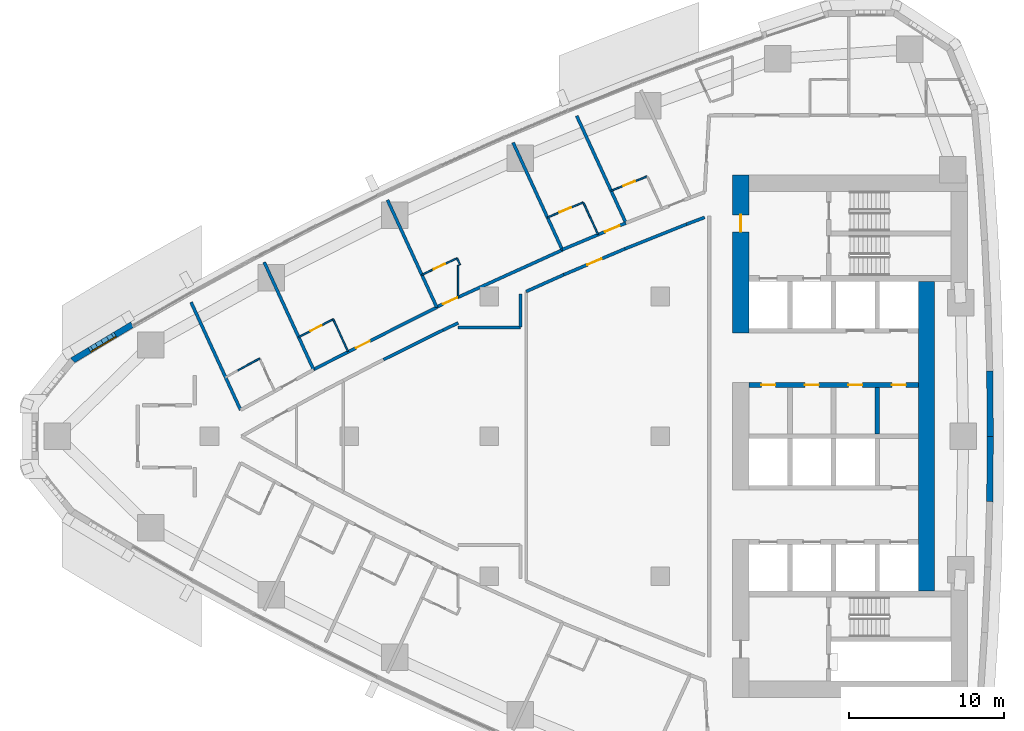
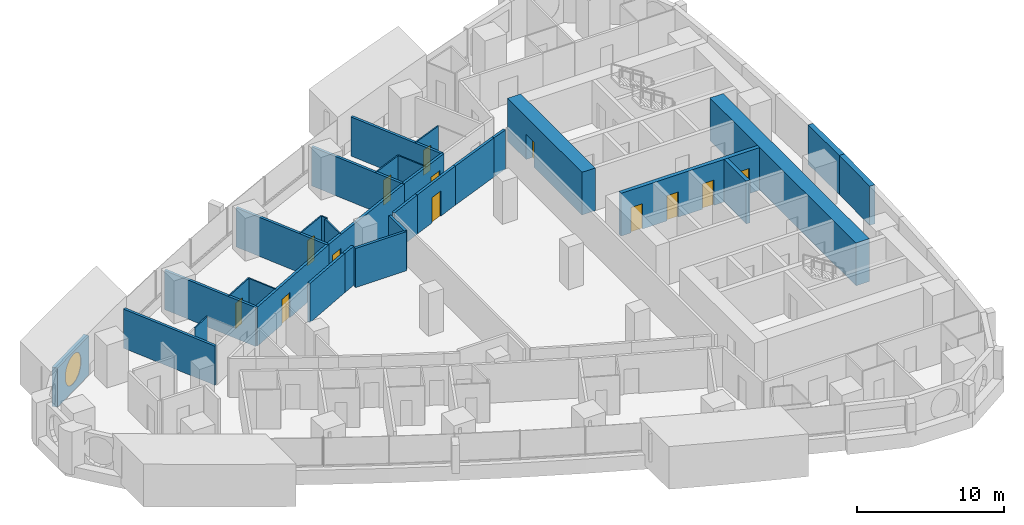
# One storey, part 11 of 17: 32 walls, 13 doors, 1 window, 14 openings.
"""IFC4 building model written with IfcOpenShell, lengths in metres."""

from ifc_helpers import new_model, si_unit, direction, frame, frame_2d, origin, place, context, subcontext, project, spatial, polyline, rectangle, outline, extrude, material, layer, layer_set, type_object, element, fill, save


model = new_model("IFC4")

# Units and contexts
model_context = context("Model", 3, precision=1e-05, world=origin(), true_north=direction((0.0, 1.0)))
body_context = subcontext(model_context, "Body", "Model", "MODEL_VIEW")
ifc_project = project(units=[si_unit("LENGTHUNIT", "METRE"), si_unit("AREAUNIT", "SQUARE_METRE"), si_unit("VOLUMEUNIT", "CUBIC_METRE"), si_unit("PLANEANGLEUNIT", "RADIAN"), si_unit("MASSUNIT", "GRAM", prefix="KILO")], contexts=[model_context])

# Site, building, storey
site_placement = place(None, origin())
site = spatial("IfcSite", under=ifc_project, at=site_placement, CompositionType="ELEMENT")
building_placement = place(site_placement, origin())
building = spatial("IfcBuilding", under=site, at=building_placement, Name="Ostrand Prow Hotel Tower", CompositionType="ELEMENT")
storey_placement = place(building_placement, frame((0.0, 0.0, 99.10009765625)))
storey = spatial("IfcBuildingStorey", under=building, at=storey_placement, Name="L23", CompositionType="ELEMENT", Elevation=99.10009765625)

# Wall, opening, door
ifc_material_1 = material(Name="Concrete C80/95", Category="concrete")
ifc_layer_1 = layer(ifc_material_1, 1.050048828125)
ifc_layer_set_1 = layer_set([ifc_layer_1], Name="Concrete C80/95")
wall_type_1 = type_object("IfcWallType", Name="Core wall 1050 C80/95", PredefinedType="SHEAR", material=ifc_layer_set_1)
wall_1_placement = place(storey_placement, frame((50.175048828125, 6.64990234375, 0.0), z_axis=(0.0, 0.0, 1.0), x_axis=(0.0, 1.0, 0.0)))
wall_1 = element("IfcWall", 1, at=wall_1_placement, inside=storey, type_object=wall_type_1, Name="Core wall CW-W-N", PredefinedType="SHEAR", context=body_context, shape_type="SweptSolid", body=[
    extrude(rectangle(XDim=10.150146484375, YDim=1.050048828125, at=frame_2d((5.0751953125, 0.0))), origin(), (0.0, 0.0, 1.0), 3.5498046875),
])
opening_1_placement = place(wall_1_placement, frame((6.5, 0.0, 0.0)))
opening_1 = element("IfcOpeningElement", 2, at=opening_1_placement, cuts=wall_1, Name="Opening FD1", PredefinedType="OPENING", context=body_context, shape_type="SweptSolid", body=[
    extrude(rectangle(XDim=1.10009765625, YDim=2.10009765625, at=frame_2d((0.550048828125, 1.050048828125))), frame((0.0, 0.534912109375, 0.0), z_axis=(0.0, -1.0, 0.0), x_axis=(1.0, 0.0, 0.0)), (0.0, 0.0, 1.0), 1.070068359375),
])
ifc_material_2 = material(Name="Steel fire door", Category="steel")
door_type_1 = type_object("IfcDoorType", Name="Fire door 1100 EI120", OperationType="SINGLE_SWING_RIGHT", PredefinedType="DOOR", material=ifc_material_2)
door_1_placement = place(opening_1_placement, origin())
door_1 = element("IfcDoor", 3, at=door_1_placement, inside=storey, type_object=door_type_1, Name="FIRE DOOR", OperationType="SINGLE_SWING_RIGHT", OverallHeight=2.10009765625, OverallWidth=1.10009765625, PredefinedType="DOOR", context=body_context, shape_type="SweptSolid", body=[
    extrude(rectangle(XDim=1.10009765625, YDim=2.10009765625, at=frame_2d((0.550048828125, 1.050048828125))), frame((0.0, 0.02490234375, 0.0), z_axis=(0.0, -1.0, 0.0), x_axis=(1.0, 0.0, 0.0)), (0.0, 0.0, 1.0), 0.050048828125),
])
fill(opening_1, door_1)

# Wall
wall_2_placement = place(storey_placement, frame((62.125, -9.949951171875, 0.0), z_axis=(0.0, 0.0, 1.0), x_axis=(0.0, 1.0, 0.0)))
element("IfcWall", 4, at=wall_2_placement, inside=storey, type_object=wall_type_1, Name="Core wall CW-E-C", PredefinedType="SHEAR", context=body_context, shape_type="SweptSolid", body=[
    extrude(rectangle(XDim=19.89990234375, YDim=1.050048828125, at=frame_2d((9.949951171875, 0.0))), origin(), (0.0, 0.0, 1.0), 3.5498046875),
])

# Wall, openings, doors
ifc_material_3 = material(Name="Concrete C80/95", Category="concrete")
ifc_layer_2 = layer(ifc_material_3, 0.300048828125)
ifc_layer_set_2 = layer_set([ifc_layer_2], Name="Concrete C80/95")
wall_type_2 = type_object("IfcWallType", Name="Core wall 300 C80/95", PredefinedType="SHEAR", material=ifc_layer_set_2)
wall_3_placement = place(storey_placement, frame((50.699951171875, 3.300048828125, 0.0), z_axis=(0.0, 0.0, 1.0), x_axis=(1.0, 0.0, 0.0)))
wall_3 = element("IfcWall", 5, at=wall_3_placement, inside=storey, type_object=wall_type_2, Name="Core wall PW-L1-N", PredefinedType="SHEAR", context=body_context, shape_type="SweptSolid", body=[
    extrude(rectangle(XDim=10.900146484375, YDim=0.300048828125, at=frame_2d((5.4501953125, 0.0))), origin(), (0.0, 0.0, 1.0), 3.5498046875),
])
opening_2_placement = place(wall_3_placement, frame((0.800048828125, 0.0, 0.0)))
opening_2 = element("IfcOpeningElement", 6, at=opening_2_placement, cuts=wall_3, Name="Opening FD2", PredefinedType="OPENING", context=body_context, shape_type="SweptSolid", body=[
    extrude(rectangle(XDim=0.89990234375, YDim=2.10009765625, at=frame_2d((0.449951171875, 1.050048828125))), frame((0.0, 0.159912109375, 0.0), z_axis=(0.0, -1.0, 0.0), x_axis=(1.0, 0.0, 0.0)), (0.0, 0.0, 1.0), 0.320068359375),
])
opening_3_placement = place(wall_3_placement, frame((3.60009765625, 0.0, 0.0)))
opening_3 = element("IfcOpeningElement", 7, at=opening_3_placement, cuts=wall_3, Name="Opening FD2", PredefinedType="OPENING", context=body_context, shape_type="SweptSolid", body=[
    extrude(rectangle(XDim=0.89990234375, YDim=2.10009765625, at=frame_2d((0.449951171875, 1.050048828125))), frame((0.0, 0.159912109375, 0.0), z_axis=(0.0, -1.0, 0.0), x_axis=(1.0, 0.0, 0.0)), (0.0, 0.0, 1.0), 0.320068359375),
])
opening_4_placement = place(wall_3_placement, frame((6.39990234375, 0.0, 0.0)))
opening_4 = element("IfcOpeningElement", 8, at=opening_4_placement, cuts=wall_3, Name="Opening FD2", PredefinedType="OPENING", context=body_context, shape_type="SweptSolid", body=[
    extrude(rectangle(XDim=0.89990234375, YDim=2.10009765625, at=frame_2d((0.449951171875, 1.050048828125))), frame((0.0, 0.159912109375, 0.0), z_axis=(0.0, -1.0, 0.0), x_axis=(1.0, 0.0, 0.0)), (0.0, 0.0, 1.0), 0.320068359375),
])
opening_5_placement = place(wall_3_placement, frame((9.199951171875, 0.0, 0.0)))
opening_5 = element("IfcOpeningElement", 9, at=opening_5_placement, cuts=wall_3, Name="Opening FD2", PredefinedType="OPENING", context=body_context, shape_type="SweptSolid", body=[
    extrude(rectangle(XDim=0.89990234375, YDim=2.10009765625, at=frame_2d((0.449951171875, 1.050048828125))), frame((0.0, 0.159912109375, 0.0), z_axis=(0.0, -1.0, 0.0), x_axis=(1.0, 0.0, 0.0)), (0.0, 0.0, 1.0), 0.320068359375),
])
ifc_material_4 = material(Name="Steel fire door", Category="steel")
door_type_2 = type_object("IfcDoorType", Name="Fire door 900 EI120", OperationType="SINGLE_SWING_LEFT", PredefinedType="DOOR", material=ifc_material_4)
door_2_placement = place(opening_2_placement, origin())
door_2 = element("IfcDoor", 10, at=door_2_placement, inside=storey, type_object=door_type_2, Name="DOOR", OperationType="SINGLE_SWING_LEFT", OverallHeight=2.10009765625, OverallWidth=0.89990234375, PredefinedType="DOOR", context=body_context, shape_type="SweptSolid", body=[
    extrude(rectangle(XDim=0.89990234375, YDim=2.10009765625, at=frame_2d((0.449951171875, 1.050048828125))), frame((0.0, 0.02490234375, 0.0), z_axis=(0.0, -1.0, 0.0), x_axis=(1.0, 0.0, 0.0)), (0.0, 0.0, 1.0), 0.050048828125),
])
fill(opening_2, door_2)
door_3_placement = place(opening_3_placement, origin())
door_3 = element("IfcDoor", 11, at=door_3_placement, inside=storey, type_object=door_type_2, Name="DOOR", OperationType="SINGLE_SWING_LEFT", OverallHeight=2.10009765625, OverallWidth=0.89990234375, PredefinedType="DOOR", context=body_context, shape_type="SweptSolid", body=[
    extrude(rectangle(XDim=0.89990234375, YDim=2.10009765625, at=frame_2d((0.449951171875, 1.050048828125))), frame((0.0, 0.02490234375, 0.0), z_axis=(0.0, -1.0, 0.0), x_axis=(1.0, 0.0, 0.0)), (0.0, 0.0, 1.0), 0.050048828125),
])
fill(opening_3, door_3)
door_4_placement = place(opening_4_placement, origin())
door_4 = element("IfcDoor", 12, at=door_4_placement, inside=storey, type_object=door_type_2, Name="DOOR", OperationType="SINGLE_SWING_LEFT", OverallHeight=2.10009765625, OverallWidth=0.89990234375, PredefinedType="DOOR", context=body_context, shape_type="SweptSolid", body=[
    extrude(rectangle(XDim=0.89990234375, YDim=2.10009765625, at=frame_2d((0.449951171875, 1.050048828125))), frame((0.0, 0.02490234375, 0.0), z_axis=(0.0, -1.0, 0.0), x_axis=(1.0, 0.0, 0.0)), (0.0, 0.0, 1.0), 0.050048828125),
])
fill(opening_4, door_4)
door_5_placement = place(opening_5_placement, origin())
door_5 = element("IfcDoor", 13, at=door_5_placement, inside=storey, type_object=door_type_2, Name="DOOR", OperationType="SINGLE_SWING_LEFT", OverallHeight=2.10009765625, OverallWidth=0.89990234375, PredefinedType="DOOR", context=body_context, shape_type="SweptSolid", body=[
    extrude(rectangle(XDim=0.89990234375, YDim=2.10009765625, at=frame_2d((0.449951171875, 1.050048828125))), frame((0.0, 0.02490234375, 0.0), z_axis=(0.0, -1.0, 0.0), x_axis=(1.0, 0.0, 0.0)), (0.0, 0.0, 1.0), 0.050048828125),
])
fill(opening_5, door_5)

# Walls
wall_4_placement = place(storey_placement, frame((58.949951171875, 0.14990234375, 0.0), z_axis=(0.0, 0.0, 1.0), x_axis=(0.0, 1.0, 0.0)))
element("IfcWall", 14, at=wall_4_placement, inside=storey, type_object=wall_type_2, Name="Core wall PW-R3-NB", PredefinedType="SHEAR", context=body_context, shape_type="SweptSolid", body=[
    extrude(rectangle(XDim=3.0, YDim=0.300048828125, at=frame_2d((1.5, 0.0))), origin(), (0.0, 0.0, 1.0), 3.5498046875),
])
ifc_material_5 = material(Name="Plasterboard partition")
ifc_layer_3 = layer(ifc_material_5, 0.10009765625)
ifc_layer_set_3 = layer_set([ifc_layer_3], Name="Plasterboard partition")
wall_type_3 = type_object("IfcWallType", Name="Partition 100 bathroom wall", PredefinedType="PARTITIONING", material=ifc_layer_set_3)
wall_5_placement = place(storey_placement, frame((17.80126953125, 4.228515625, 0.0), z_axis=(0.0, 0.0, 1.0), x_axis=(0.877424481957, 0.479714788663, 0.0)))
element("IfcWall", 15, at=wall_5_placement, inside=storey, type_object=wall_type_3, Name="BATHROOM WALL", PredefinedType="PARTITIONING", context=body_context, shape_type="SweptSolid", body=[
    extrude(rectangle(XDim=1.62548828125, YDim=0.10009765625, at=frame_2d((0.812744140625, 0.0))), origin(), (0.0, 0.0, 1.0), 3.25),
])

# Wall, opening, door
wall_6_placement = place(storey_placement, frame((21.737548828125, 6.377197265625, 0.0), z_axis=(0.0, 0.0, 1.0), x_axis=(0.886911586599, 0.461939214135, 0.0)))
wall_6 = element("IfcWall", 16, at=wall_6_placement, inside=storey, type_object=wall_type_3, Name="BATHROOM WALL", PredefinedType="PARTITIONING", context=body_context, shape_type="SweptSolid", body=[
    extrude(rectangle(XDim=2.5029296875, YDim=0.10009765625, at=frame_2d((1.25146484375, 0.0))), origin(), (0.0, 0.0, 1.0), 3.25),
])
opening_6_placement = place(wall_6_placement, frame((0.85009765625, 0.0, 0.0)))
opening_6 = element("IfcOpeningElement", 17, at=opening_6_placement, cuts=wall_6, Name="Opening D2", PredefinedType="OPENING", context=body_context, shape_type="SweptSolid", body=[
    extrude(rectangle(XDim=0.800048828125, YDim=2.10009765625, at=frame_2d((0.39990234375, 1.050048828125))), frame((0.0, 0.06005859375, 0.0), z_axis=(0.0, -1.0, 0.0), x_axis=(1.0, 0.0, 0.0)), (0.0, 0.0, 1.0), 0.1201171875),
])
ifc_material_6 = material(Name="Timber door leaf", Category="wood")
door_type_3 = type_object("IfcDoorType", Name="Bathroom door 800", OperationType="SINGLE_SWING_LEFT", PredefinedType="DOOR", material=ifc_material_6)
door_6_placement = place(opening_6_placement, origin())
door_6 = element("IfcDoor", 18, at=door_6_placement, inside=storey, type_object=door_type_3, Name="DOOR", OperationType="SINGLE_SWING_LEFT", OverallHeight=2.10009765625, OverallWidth=0.800048828125, PredefinedType="DOOR", context=body_context, shape_type="SweptSolid", body=[
    extrude(rectangle(XDim=0.800048828125, YDim=2.10009765625, at=frame_2d((0.39990234375, 1.050048828125))), frame((0.0, 0.02490234375, 0.0), z_axis=(0.0, -1.0, 0.0), x_axis=(1.0, 0.0, 0.0)), (0.0, 0.0, 1.0), 0.050048828125),
])
fill(opening_6, door_6)

# Wall
wall_7_placement = place(storey_placement, frame((23.95751953125, 7.533447265625, 0.0), z_axis=(0.0, 0.0, 1.0), x_axis=(0.417454762401, -0.908697706253, 0.0)))
element("IfcWall", 19, at=wall_7_placement, inside=storey, type_object=wall_type_3, Name="BATHROOM WALL", PredefinedType="PARTITIONING", context=body_context, shape_type="SweptSolid", body=[
    extrude(rectangle(XDim=2.27978515625, YDim=0.10009765625, at=frame_2d((1.139892578125, 0.0))), origin(), (0.0, 0.0, 1.0), 3.25),
])

# Wall, opening, door
wall_8_placement = place(storey_placement, frame((29.662109375, 10.39208984375, 0.0), z_axis=(0.0, 0.0, 1.0), x_axis=(0.904688082375, 0.426074493027, 0.0)))
wall_8 = element("IfcWall", 20, at=wall_8_placement, inside=storey, type_object=wall_type_3, Name="BATHROOM WALL", PredefinedType="PARTITIONING", context=body_context, shape_type="SweptSolid", body=[
    extrude(rectangle(XDim=2.5, YDim=0.10009765625, at=frame_2d((1.25, 0.0))), origin(), (0.0, 0.0, 1.0), 3.25),
])
opening_7_placement = place(wall_8_placement, frame((0.85009765625, 0.0, 0.0)))
opening_7 = element("IfcOpeningElement", 21, at=opening_7_placement, cuts=wall_8, Name="Opening D2", PredefinedType="OPENING", context=body_context, shape_type="SweptSolid", body=[
    extrude(rectangle(XDim=0.800048828125, YDim=2.10009765625, at=frame_2d((0.39990234375, 1.050048828125))), frame((0.0, 0.06005859375, 0.0), z_axis=(0.0, -1.0, 0.0), x_axis=(1.0, 0.0, 0.0)), (0.0, 0.0, 1.0), 0.1201171875),
])
door_7_placement = place(opening_7_placement, origin())
door_7 = element("IfcDoor", 22, at=door_7_placement, inside=storey, type_object=door_type_3, Name="DOOR", OperationType="SINGLE_SWING_LEFT", OverallHeight=2.10009765625, OverallWidth=0.800048828125, PredefinedType="DOOR", context=body_context, shape_type="SweptSolid", body=[
    extrude(rectangle(XDim=0.800048828125, YDim=2.10009765625, at=frame_2d((0.39990234375, 1.050048828125))), frame((0.0, 0.02490234375, 0.0), z_axis=(0.0, -1.0, 0.0), x_axis=(1.0, 0.0, 0.0)), (0.0, 0.0, 1.0), 0.050048828125),
])
fill(opening_7, door_7)

# Wall
wall_9_placement = place(storey_placement, frame((31.923828125, 11.457275390625, 0.0), z_axis=(0.0, 0.0, 1.0), x_axis=(0.4176025781, -0.908629785316, 0.0)))
element("IfcWall", 23, at=wall_9_placement, inside=storey, type_object=wall_type_3, Name="BATHROOM WALL", PredefinedType="PARTITIONING", context=body_context, shape_type="SweptSolid", body=[
    extrude(rectangle(XDim=0.478759765625, YDim=0.10009765625, at=frame_2d((0.2392578125, 0.0))), origin(), (0.0, 0.0, 1.0), 3.25),
])

# Wall, opening, door
wall_10_placement = place(storey_placement, frame((37.743896484375, 14.07958984375, 0.0), z_axis=(0.0, 0.0, 1.0), x_axis=(0.921042675983, 0.38946166566, 0.0)))
wall_10 = element("IfcWall", 24, at=wall_10_placement, inside=storey, type_object=wall_type_3, Name="BATHROOM WALL", PredefinedType="PARTITIONING", context=body_context, shape_type="SweptSolid", body=[
    extrude(rectangle(XDim=2.501220703125, YDim=0.10009765625, at=frame_2d((1.25048828125, 0.0))), origin(), (0.0, 0.0, 1.0), 3.25),
])
opening_8_placement = place(wall_10_placement, frame((0.85009765625, 0.0, 0.0)))
opening_8 = element("IfcOpeningElement", 25, at=opening_8_placement, cuts=wall_10, Name="Opening D2", PredefinedType="OPENING", context=body_context, shape_type="SweptSolid", body=[
    extrude(rectangle(XDim=0.800048828125, YDim=2.10009765625, at=frame_2d((0.39990234375, 1.050048828125))), frame((0.0, 0.06005859375, 0.0), z_axis=(0.0, -1.0, 0.0), x_axis=(1.0, 0.0, 0.0)), (0.0, 0.0, 1.0), 0.1201171875),
])
door_8_placement = place(opening_8_placement, origin())
door_8 = element("IfcDoor", 26, at=door_8_placement, inside=storey, type_object=door_type_3, Name="DOOR", OperationType="SINGLE_SWING_LEFT", OverallHeight=2.10009765625, OverallWidth=0.800048828125, PredefinedType="DOOR", context=body_context, shape_type="SweptSolid", body=[
    extrude(rectangle(XDim=0.800048828125, YDim=2.10009765625, at=frame_2d((0.39990234375, 1.050048828125))), frame((0.0, 0.02490234375, 0.0), z_axis=(0.0, -1.0, 0.0), x_axis=(1.0, 0.0, 0.0)), (0.0, 0.0, 1.0), 0.050048828125),
])
fill(opening_8, door_8)

# Wall
wall_11_placement = place(storey_placement, frame((40.047607421875, 15.0537109375, 0.0), z_axis=(0.0, 0.0, 1.0), x_axis=(0.417433204355, -0.908707609686, 0.0)))
element("IfcWall", 27, at=wall_11_placement, inside=storey, type_object=wall_type_3, Name="BATHROOM WALL", PredefinedType="PARTITIONING", context=body_context, shape_type="SweptSolid", body=[
    extrude(rectangle(XDim=2.278076171875, YDim=0.10009765625, at=frame_2d((1.13916015625, 0.0))), origin(), (0.0, 0.0, 1.0), 3.25),
])

# Wall, opening, door
wall_12_placement = place(storey_placement, frame((41.837890625, 15.798095703125, 0.0), z_axis=(0.0, 0.0, 1.0), x_axis=(0.928638024739, 0.370987087388, 0.0)))
wall_12 = element("IfcWall", 28, at=wall_12_placement, inside=storey, type_object=wall_type_3, Name="BATHROOM WALL", PredefinedType="PARTITIONING", context=body_context, shape_type="SweptSolid", body=[
    extrude(rectangle(XDim=2.50341796875, YDim=0.10009765625, at=frame_2d((1.251708984375, 0.0))), origin(), (0.0, 0.0, 1.0), 3.25),
])
opening_9_placement = place(wall_12_placement, frame((0.85009765625, 0.0, 0.0)))
opening_9 = element("IfcOpeningElement", 29, at=opening_9_placement, cuts=wall_12, Name="Opening D2", PredefinedType="OPENING", context=body_context, shape_type="SweptSolid", body=[
    extrude(rectangle(XDim=0.800048828125, YDim=2.10009765625, at=frame_2d((0.39990234375, 1.050048828125))), frame((0.0, 0.06005859375, 0.0), z_axis=(0.0, -1.0, 0.0), x_axis=(1.0, 0.0, 0.0)), (0.0, 0.0, 1.0), 0.1201171875),
])
door_9_placement = place(opening_9_placement, origin())
door_9 = element("IfcDoor", 30, at=door_9_placement, inside=storey, type_object=door_type_3, Name="DOOR", OperationType="SINGLE_SWING_LEFT", OverallHeight=2.10009765625, OverallWidth=0.800048828125, PredefinedType="DOOR", context=body_context, shape_type="SweptSolid", body=[
    extrude(rectangle(XDim=0.800048828125, YDim=2.10009765625, at=frame_2d((0.39990234375, 1.050048828125))), frame((0.0, 0.02490234375, 0.0), z_axis=(0.0, -1.0, 0.0), x_axis=(1.0, 0.0, 0.0)), (0.0, 0.0, 1.0), 0.050048828125),
])
fill(opening_9, door_9)

# Wall
wall_13_placement = place(storey_placement, frame((31.9951171875, 11.00048828125, 0.0), z_axis=(0.0, 0.0, 1.0), x_axis=(0.0, -1.0, 0.0)))
element("IfcWall", 31, at=wall_13_placement, inside=storey, type_object=wall_type_3, Name="BATHROOM WALL", PredefinedType="PARTITIONING", context=body_context, shape_type="SweptSolid", body=[
    extrude(rectangle(XDim=2.04638671875, YDim=0.10009765625, at=frame_2d((1.023193359375, 0.0))), origin(), (0.0, 0.0, 1.0), 3.25),
])

# Wall, opening, door
ifc_material_7 = material(Name="Plasterboard partition")
ifc_layer_4 = layer(ifc_material_7, 0.199951171875)
ifc_layer_set_4 = layer_set([ifc_layer_4], Name="Plasterboard partition")
wall_type_4 = type_object("IfcWallType", Name="Partition 200 corridor wall", PredefinedType="PARTITIONING", material=ifc_layer_set_4)
wall_14_placement = place(storey_placement, frame((22.6904296875, 4.302490234375, 0.0), z_axis=(0.0, 0.0, 1.0), x_axis=(0.892904919467, 0.450245271815, 0.0)))
wall_14 = element("IfcWall", 32, at=wall_14_placement, inside=storey, type_object=wall_type_4, Name="CORRIDOR WALL", PredefinedType="PARTITIONING", context=body_context, shape_type="SweptSolid", body=[
    extrude(rectangle(XDim=8.883056640625, YDim=0.199951171875, at=frame_2d((4.44140625, 0.0))), origin(), (0.0, 0.0, 1.0), 3.25),
])
opening_10_placement = place(wall_14_placement, frame((3.050048828125, 0.0, 0.0)))
opening_10 = element("IfcOpeningElement", 33, at=opening_10_placement, cuts=wall_14, Name="Opening D1", PredefinedType="OPENING", context=body_context, shape_type="SweptSolid", body=[
    extrude(rectangle(XDim=1.0, YDim=2.10009765625, at=frame_2d((0.5, 1.050048828125))), frame((0.0, 0.10986328125, 0.0), z_axis=(0.0, -1.0, 0.0), x_axis=(1.0, 0.0, 0.0)), (0.0, 0.0, 1.0), 0.219970703125),
])
ifc_material_8 = material(Name="Timber door leaf", Category="wood")
door_type_4 = type_object("IfcDoorType", Name="Guest room door 1000", OperationType="SINGLE_SWING_LEFT", PredefinedType="DOOR", material=ifc_material_8)
door_10_placement = place(opening_10_placement, origin())
door_10 = element("IfcDoor", 34, at=door_10_placement, inside=storey, type_object=door_type_4, Name="DOOR", OperationType="SINGLE_SWING_LEFT", OverallHeight=2.10009765625, OverallWidth=1.0, PredefinedType="DOOR", context=body_context, shape_type="SweptSolid", body=[
    extrude(rectangle(XDim=1.0, YDim=2.10009765625, at=frame_2d((0.5, 1.050048828125))), frame((0.0, 0.02490234375, 0.0), z_axis=(0.0, -1.0, 0.0), x_axis=(1.0, 0.0, 0.0)), (0.0, 0.0, 1.0), 0.050048828125),
])
fill(opening_10, door_10)

wall_15_placement = place(storey_placement, frame((30.61376953125, 8.320068359375, 0.0), z_axis=(0.0, 0.0, 1.0), x_axis=(0.910751030363, 0.41295588226, 0.0)))
wall_15 = element("IfcWall", 35, at=wall_15_placement, inside=storey, type_object=wall_type_4, Name="CORRIDOR WALL", PredefinedType="PARTITIONING", context=body_context, shape_type="SweptSolid", body=[
    extrude(rectangle(XDim=8.88330078125, YDim=0.199951171875, at=frame_2d((4.441650390625, 0.0))), origin(), (0.0, 0.0, 1.0), 3.25),
])
opening_11_placement = place(wall_15_placement, frame((0.449951171875, 0.0, 0.0)))
opening_11 = element("IfcOpeningElement", 36, at=opening_11_placement, cuts=wall_15, Name="Opening D1", PredefinedType="OPENING", context=body_context, shape_type="SweptSolid", body=[
    extrude(rectangle(XDim=1.0, YDim=2.10009765625, at=frame_2d((0.5, 1.050048828125))), frame((0.0, 0.10986328125, 0.0), z_axis=(0.0, -1.0, 0.0), x_axis=(1.0, 0.0, 0.0)), (0.0, 0.0, 1.0), 0.219970703125),
])
door_11_placement = place(opening_11_placement, origin())
door_11 = element("IfcDoor", 37, at=door_11_placement, inside=storey, type_object=door_type_4, Name="DOOR", OperationType="SINGLE_SWING_LEFT", OverallHeight=2.10009765625, OverallWidth=1.0, PredefinedType="DOOR", context=body_context, shape_type="SweptSolid", body=[
    extrude(rectangle(XDim=1.0, YDim=2.10009765625, at=frame_2d((0.5, 1.050048828125))), frame((0.0, 0.02490234375, 0.0), z_axis=(0.0, -1.0, 0.0), x_axis=(1.0, 0.0, 0.0)), (0.0, 0.0, 1.0), 0.050048828125),
])
fill(opening_11, door_11)

wall_16_placement = place(storey_placement, frame((42.791015625, 13.7236328125, 0.0), z_axis=(0.0, 0.0, 1.0), x_axis=(-0.922230433067, -0.386640696675, 0.0)))
wall_16 = element("IfcWall", 38, at=wall_16_placement, inside=storey, type_object=wall_type_4, Name="CORRIDOR WALL", PredefinedType="PARTITIONING", context=body_context, shape_type="SweptSolid", body=[
    extrude(rectangle(XDim=4.440185546875, YDim=0.199951171875, at=frame_2d((2.22021484375, 0.0))), origin(), (0.0, 0.0, 1.0), 3.25),
])
opening_12_placement = place(wall_16_placement, frame((0.449951171875, 0.0, 0.0)))
opening_12 = element("IfcOpeningElement", 39, at=opening_12_placement, cuts=wall_16, Name="Opening D1", PredefinedType="OPENING", context=body_context, shape_type="SweptSolid", body=[
    extrude(rectangle(XDim=1.0, YDim=2.10009765625, at=frame_2d((0.5, 1.050048828125))), frame((0.0, 0.10986328125, 0.0), z_axis=(0.0, -1.0, 0.0), x_axis=(1.0, 0.0, 0.0)), (0.0, 0.0, 1.0), 0.219970703125),
])
door_12_placement = place(opening_12_placement, origin())
door_12 = element("IfcDoor", 40, at=door_12_placement, inside=storey, type_object=door_type_4, Name="DOOR", OperationType="SINGLE_SWING_LEFT", OverallHeight=2.10009765625, OverallWidth=1.0, PredefinedType="DOOR", context=body_context, shape_type="SweptSolid", body=[
    extrude(rectangle(XDim=1.0, YDim=2.10009765625, at=frame_2d((0.5, 1.050048828125))), frame((0.0, 0.02490234375, 0.0), z_axis=(0.0, -1.0, 0.0), x_axis=(1.0, 0.0, 0.0)), (0.0, 0.0, 1.0), 0.050048828125),
])
fill(opening_12, door_12)

# Walls
wall_17_placement = place(storey_placement, frame((31.02490234375, 6.83349609375, 0.0), z_axis=(0.0, 0.0, 1.0), x_axis=(0.904690325494, 0.426069730159, 0.0)))
element("IfcWall", 41, at=wall_17_placement, inside=storey, type_object=wall_type_4, Name="CORRIDOR WALL", PredefinedType="PARTITIONING", context=body_context, shape_type="SweptSolid", body=[
    extrude(rectangle(XDim=1.077880859375, YDim=0.199951171875, at=frame_2d((0.5390625, 0.0))), origin(), (0.0, 0.0, 1.0), 3.25),
])
wall_18_placement = place(storey_placement, frame((27.1962890625, 4.935791015625, 0.0), z_axis=(0.0, 0.0, 1.0), x_axis=(0.895975836328, 0.44410280422, 0.0)))
element("IfcWall", 42, at=wall_18_placement, inside=storey, type_object=wall_type_4, Name="CORRIDOR WALL", PredefinedType="PARTITIONING", context=body_context, shape_type="SweptSolid", body=[
    extrude(rectangle(XDim=4.273193359375, YDim=0.199951171875, at=frame_2d((2.13671875, 0.0))), origin(), (0.0, 0.0, 1.0), 3.25),
])

# Wall, opening, door
wall_19_placement = place(storey_placement, frame((38.7919921875, 10.397216796875, 0.0), z_axis=(0.0, 0.0, 1.0), x_axis=(0.921037415532, 0.389474105929, 0.0)))
wall_19 = element("IfcWall", 43, at=wall_19_placement, inside=storey, type_object=wall_type_4, Name="CORRIDOR WALL", PredefinedType="PARTITIONING", context=body_context, shape_type="SweptSolid", body=[
    extrude(rectangle(XDim=4.273193359375, YDim=0.199951171875, at=frame_2d((2.13671875, 0.0))), origin(), (0.0, 0.0, 1.0), 3.25),
])
opening_13_placement = place(wall_19_placement, frame((1.636474609375, 0.0, 0.0)))
opening_13 = element("IfcOpeningElement", 44, at=opening_13_placement, cuts=wall_19, Name="Opening D1", PredefinedType="OPENING", context=body_context, shape_type="SweptSolid", body=[
    extrude(rectangle(XDim=1.0, YDim=2.10009765625, at=frame_2d((0.5, 1.050048828125))), frame((0.0, 0.10986328125, 0.0), z_axis=(0.0, -1.0, 0.0), x_axis=(1.0, 0.0, 0.0)), (0.0, 0.0, 1.0), 0.219970703125),
])
door_13_placement = place(opening_13_placement, origin())
door_13 = element("IfcDoor", 45, at=door_13_placement, inside=storey, type_object=door_type_4, Name="DOOR", OperationType="SINGLE_SWING_LEFT", OverallHeight=2.10009765625, OverallWidth=1.0, PredefinedType="DOOR", context=body_context, shape_type="SweptSolid", body=[
    extrude(rectangle(XDim=1.0, YDim=2.10009765625, at=frame_2d((0.5, 1.050048828125))), frame((0.0, 0.02490234375, 0.0), z_axis=(0.0, -1.0, 0.0), x_axis=(1.0, 0.0, 0.0)), (0.0, 0.0, 1.0), 0.050048828125),
])
fill(opening_13, door_13)

# Walls
wall_20_placement = place(storey_placement, frame((42.727783203125, 12.0615234375, 0.0), z_axis=(0.0, 0.0, 1.0), x_axis=(0.928638161177, 0.370986745864, 0.0)))
element("IfcWall", 46, at=wall_20_placement, inside=storey, type_object=wall_type_4, Name="CORRIDOR WALL", PredefinedType="PARTITIONING", context=body_context, shape_type="SweptSolid", body=[
    extrude(rectangle(XDim=4.27294921875, YDim=0.199951171875, at=frame_2d((2.136474609375, 0.0))), origin(), (0.0, 0.0, 1.0), 3.25),
])
wall_21_placement = place(storey_placement, frame((36.373779296875, 9.31689453125, 0.0), z_axis=(0.0, 0.0, 1.0), x_axis=(0.913030623494, 0.407891015544, 0.0)))
element("IfcWall", 47, at=wall_21_placement, inside=storey, type_object=wall_type_4, Name="CORRIDOR WALL", PredefinedType="PARTITIONING", context=body_context, shape_type="SweptSolid", body=[
    extrude(rectangle(XDim=2.6484375, YDim=0.199951171875, at=frame_2d((1.32421875, 0.0))), origin(), (0.0, 0.0, 1.0), 3.25),
])
wall_22_placement = place(storey_placement, frame((46.69580078125, 13.646728515625, 0.0), z_axis=(0.0, 0.0, 1.0), x_axis=(0.935907269358, 0.352246480696, 0.0)))
element("IfcWall", 48, at=wall_22_placement, inside=storey, type_object=wall_type_4, Name="CORRIDOR WALL", PredefinedType="PARTITIONING", context=body_context, shape_type="SweptSolid", body=[
    extrude(rectangle(XDim=1.238525390625, YDim=0.199951171875, at=frame_2d((0.619140625, 0.0))), origin(), (0.0, 0.0, 1.0), 3.25),
])
wall_23_placement = place(storey_placement, frame((31.99951171875, 6.9951171875, 0.0), z_axis=(0.0, 0.0, 1.0), x_axis=(0.99999999256, 0.00012198097, 0.0)))
element("IfcWall", 49, at=wall_23_placement, inside=storey, type_object=wall_type_4, Name="CORRIDOR WALL", PredefinedType="PARTITIONING", context=body_context, shape_type="SweptSolid", body=[
    extrude(rectangle(XDim=4.0029296875, YDim=0.199951171875, at=frame_2d((2.00146484375, 0.0))), origin(), (0.0, 0.0, 1.0), 3.25),
])
wall_24_placement = place(storey_placement, frame((36.00244140625, 7.03564453125, 0.0), z_axis=(0.0, 0.0, 1.0), x_axis=(0.001156603436, 0.999999331134, 0.0)))
element("IfcWall", 50, at=wall_24_placement, inside=storey, type_object=wall_type_4, Name="CORRIDOR WALL", PredefinedType="PARTITIONING", context=body_context, shape_type="SweptSolid", body=[
    extrude(rectangle(XDim=2.11083984375, YDim=0.199951171875, at=frame_2d((1.055419921875, 0.0))), origin(), (0.0, 0.0, 1.0), 3.25),
])
ifc_material_9 = material(Name="Plasterboard partition")
ifc_layer_5 = layer(ifc_material_9, 0.199951171875)
ifc_layer_set_5 = layer_set([ifc_layer_5], Name="Plasterboard partition")
wall_type_5 = type_object("IfcWallType", Name="Partition 200 key partition", PredefinedType="PARTITIONING", material=ifc_layer_set_5)
wall_25_placement = place(storey_placement, frame((14.814697265625, 8.625732421875, 0.0), z_axis=(0.0, 0.0, 1.0), x_axis=(0.417432341259, -0.908708006166, 0.0)))
element("IfcWall", 51, at=wall_25_placement, inside=storey, type_object=wall_type_5, Name="KEY PARTITION", PredefinedType="PARTITIONING", context=body_context, shape_type="SweptSolid", body=[
    extrude(rectangle(XDim=7.630615234375, YDim=0.199951171875, at=frame_2d((3.8154296875, 0.0))), origin(), (0.0, 0.0, 1.0), 3.25),
])
wall_26_placement = place(storey_placement, frame((22.69873046875, 4.284423828125, 0.0), z_axis=(0.0, 0.0, 1.0), x_axis=(-0.417413534969, 0.908716644959, 0.0)))
element("IfcWall", 52, at=wall_26_placement, inside=storey, type_object=wall_type_5, Name="KEY PARTITION", PredefinedType="PARTITIONING", context=body_context, shape_type="SweptSolid", body=[
    extrude(rectangle(XDim=7.609375, YDim=0.199951171875, at=frame_2d((3.8046875, 0.0))), origin(), (0.0, 0.0, 1.0), 3.25),
])
wall_27_placement = place(storey_placement, frame((30.6220703125, 8.302001953125, 0.0), z_axis=(0.0, 0.0, 1.0), x_axis=(-0.417429919618, 0.90870911859, 0.0)))
element("IfcWall", 53, at=wall_27_placement, inside=storey, type_object=wall_type_5, Name="KEY PARTITION", PredefinedType="PARTITIONING", context=body_context, shape_type="SweptSolid", body=[
    extrude(rectangle(XDim=7.600341796875, YDim=0.199951171875, at=frame_2d((3.80029296875, 0.0))), origin(), (0.0, 0.0, 1.0), 3.25),
])
wall_28_placement = place(storey_placement, frame((38.704345703125, 11.988525390625, 0.0), z_axis=(0.0, 0.0, 1.0), x_axis=(-0.417416334044, 0.908715359215, 0.0)))
element("IfcWall", 54, at=wall_28_placement, inside=storey, type_object=wall_type_5, Name="KEY PARTITION", PredefinedType="PARTITIONING", context=body_context, shape_type="SweptSolid", body=[
    extrude(rectangle(XDim=7.603515625, YDim=0.199951171875, at=frame_2d((3.8017578125, 0.0))), origin(), (0.0, 0.0, 1.0), 3.25),
])
wall_29_placement = place(storey_placement, frame((42.79931640625, 13.705322265625, 0.0), z_axis=(0.0, 0.0, 1.0), x_axis=(-0.417427858403, 0.908710065438, 0.0)))
element("IfcWall", 55, at=wall_29_placement, inside=storey, type_object=wall_type_5, Name="KEY PARTITION", PredefinedType="PARTITIONING", context=body_context, shape_type="SweptSolid", body=[
    extrude(rectangle(XDim=7.609619140625, YDim=0.199951171875, at=frame_2d((3.8046875, 0.0))), origin(), (0.0, 0.0, 1.0), 3.25),
])

# Wall, opening, window
ifc_material_10 = material(Name="Precast concrete C40/50", Category="concrete")
ifc_layer_6 = layer(ifc_material_10, 0.39990234375)
ifc_layer_set_6 = layer_set([ifc_layer_6], Name="Precast concrete C40/50")
wall_type_6 = type_object("IfcWallType", Name="Stone-faced precast wall 400 mm", PredefinedType="NOTDEFINED", material=ifc_layer_set_6)
wall_30_placement = place(storey_placement, frame((11.02587890625, 7.18603515625, 0.0), z_axis=(0.0, 0.0, 1.0), x_axis=(-0.857550776474, -0.514399325202, 0.0)))
wall_30 = element("IfcWall", 56, at=wall_30_placement, inside=storey, type_object=wall_type_6, Name="Stone-faced wall prow 1", PredefinedType="NOTDEFINED", context=body_context, shape_type="SweptSolid", body=[
    extrude(outline(polyline([(0.0, -0.199951171875), (4.50341796875, -0.199951171875), (4.4326171875, 0.199951171875), (0.0, 0.199951171875), (0.0, -0.199951171875)])), origin(), (0.0, 0.0, 1.0), 3.25),
])
opening_14_placement = place(wall_30_placement, frame((1.134033203125, 0.0, 0.60009765625)))
opening_14 = element("IfcOpeningElement", 57, at=opening_14_placement, cuts=wall_30, Name="Opening WP1", PredefinedType="OPENING", context=body_context, shape_type="SweptSolid", body=[
    extrude(outline(polyline([(0.0, 1.35009765625), (0.083740234375, 1.77099609375), (0.322265625, 2.127685546875), (0.678955078125, 2.3662109375), (1.10009765625, 2.449951171875), (1.52099609375, 2.3662109375), (1.877685546875, 2.127685546875), (2.1162109375, 1.77099609375), (2.199951171875, 1.35009765625), (2.199951171875, 1.10009765625), (2.1162109375, 0.678955078125), (1.877685546875, 0.322265625), (1.52099609375, 0.083740234375), (1.10009765625, 0.0), (0.678955078125, 0.083740234375), (0.322265625, 0.322265625), (0.083740234375, 0.678955078125), (0.0, 1.099853515625), (0.0, 1.35009765625)])), frame((0.0, 0.2099609375, 0.0), z_axis=(0.0, -1.0, 0.0), x_axis=(1.0, 0.0, 0.0)), (0.0, 0.0, 1.0), 0.419921875),
])
ifc_material_11 = material(Name="Insulated glass in bronze frame", Category="glass")
window_type = type_object("IfcWindowType", Name="Round-ended prow window 2200x2450", PartitioningType="SINGLE_PANEL", PredefinedType="WINDOW", material=ifc_material_11)
window_placement = place(opening_14_placement, origin())
window = element("IfcWindow", 58, at=window_placement, inside=storey, type_object=window_type, Name="Window prow 1.1", OverallHeight=2.449951171875, OverallWidth=2.199951171875, PartitioningType="SINGLE_PANEL", PredefinedType="WINDOW", context=body_context, shape_type="SweptSolid", body=[
    extrude(outline(polyline([(0.0, 1.35009765625), (0.083740234375, 1.77099609375), (0.322265625, 2.127685546875), (0.678955078125, 2.3662109375), (1.10009765625, 2.449951171875), (1.52099609375, 2.3662109375), (1.877685546875, 2.127685546875), (2.1162109375, 1.77099609375), (2.199951171875, 1.35009765625), (2.199951171875, 1.10009765625), (2.1162109375, 0.678955078125), (1.877685546875, 0.322265625), (1.52099609375, 0.083740234375), (1.10009765625, 0.0), (0.678955078125, 0.083740234375), (0.322265625, 0.322265625), (0.083740234375, 0.678955078125), (0.0, 1.099853515625), (0.0, 1.35009765625)])), frame((0.0, 0.169921875, 0.0), z_axis=(0.0, -1.0, 0.0), x_axis=(1.0, 0.0, 0.0)), (0.0, 0.0, 1.0), 0.06005859375),
])
fill(opening_14, window)

# Walls
for number, where, z_axis, x_axis, name in (
    (59, (66.193603515625, -4.20654296875, 0.0), (0.0, 0.0, 1.0), (0.00969194175, 0.99995303203, 0.0), "Stone-faced wall back 9"),
    (60, (66.234375, 0.0, 0.0), (0.0, 0.0, 1.0), (-0.00969194175, 0.99995303203, 0.0), "Stone-faced wall back 10"),
):
    element("IfcWall", number, at=place(storey_placement, frame(where, z_axis=z_axis, x_axis=x_axis)), inside=storey, type_object=wall_type_6, Name=name, PredefinedType="NOTDEFINED", context=body_context, shape_type="SweptSolid", body=[
        extrude(outline(polyline([(-0.001953125, -0.199951171875), (4.208740234375, -0.199951171875), (4.204833984375, 0.199951171875), (0.001953125, 0.199951171875), (-0.001953125, -0.199951171875)])), origin(), (0.0, 0.0, 1.0), 3.25),
    ])

save(model, "model.ifc")
